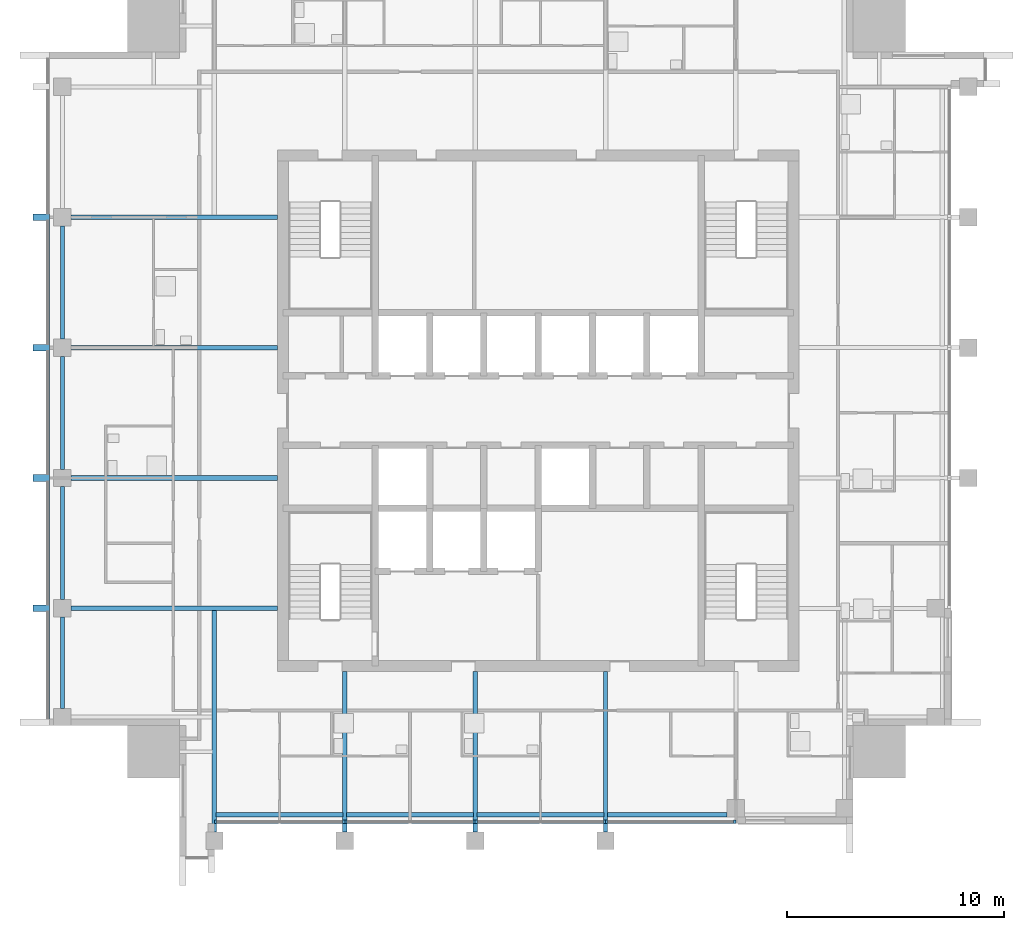
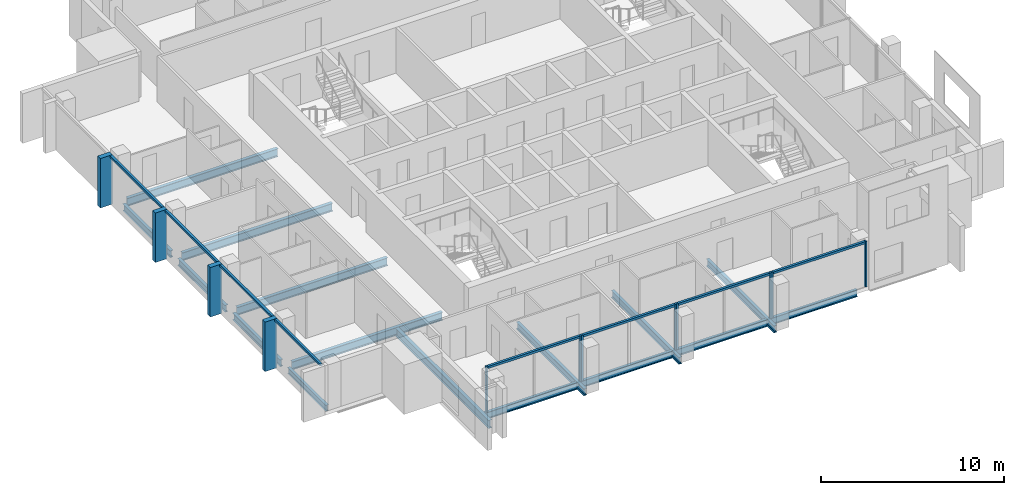
# One storey, part 2 of 13: 20 members, 16 beams, 5 elements without a shape of their own.
"""IFC4 building model written with IfcOpenShell, lengths in metres."""

import ifcopenshell
import ifcopenshell.guid

model = None  # the IFC model being written
_history = None  # IfcOwnerHistory: only IFC2X3 demands one
_inside = {}  # id of a spatial element -> (the spatial element, [elements in it])
_under = {}  # id of a project, library or spatial element -> (it, [spatial elements below it])
_declared = {}  # id of a project -> (the project, [libraries it declares])
_typed = {}  # id of a type object -> (the type object, [elements of that type])
_made_of = {}  # id of a material, layer set ... -> (it, [elements and type objects made of it])


def new_model(schema):
    """Start an empty IFC model of exactly this schema.

    Asked for "IFC4X3", IfcOpenShell would pick the latest addendum, in which some entities
    have other attributes; the version numbers below select the first issue.
    IFC2X3 requires an IfcOwnerHistory on every rooted entity: one is made here for all.
    """
    global model, _history
    if schema == "IFC4X3":
        model = ifcopenshell.file(schema_version=(4, 3, 0, 0))
    else:
        model = ifcopenshell.file(schema=schema)
    _inside.clear()
    _under.clear()
    _declared.clear()
    _typed.clear()
    _made_of.clear()
    _history = None
    if model.schema == "IFC2X3":
        org = make("IfcOrganization", Name="unknown")
        user = make(
            "IfcPersonAndOrganization",
            ThePerson=make("IfcPerson", FamilyName="unknown"),
            TheOrganization=org,
        )
        app = make(
            "IfcApplication",
            ApplicationDeveloper=org,
            Version="unknown",
            ApplicationFullName="unknown",
            ApplicationIdentifier="unknown",
        )
        _history = make(
            "IfcOwnerHistory",
            OwningUser=user,
            OwningApplication=app,
            ChangeAction="ADDED",
            CreationDate=0,
        )
    return model


def make(cls, **values):
    """One entity of the class cls with the attributes given. An attribute that is None is left unset."""
    return model.create_entity(
        cls, **{name: value for name, value in values.items() if value is not None}
    )


def rooted(cls, **values):
    """An entity with a GlobalId (a new one), such as an element, a storey or a relation."""
    return make(cls, GlobalId=ifcopenshell.guid.new(), OwnerHistory=_history, **values)


def si_unit(unit_type, name, prefix=None):
    """IfcSIUnit, for example si_unit("LENGTHUNIT", "METRE", prefix="MILLI")."""
    return make("IfcSIUnit", UnitType=unit_type, Prefix=prefix, Name=name)


def assignment(units):
    """IfcUnitAssignment: the units of a project."""
    return None if units is None else make("IfcUnitAssignment", Units=units)


def point(xyz):
    """IfcCartesianPoint."""
    return None if xyz is None else make("IfcCartesianPoint", Coordinates=xyz)


def direction(xyz):
    """IfcDirection."""
    return None if xyz is None else make("IfcDirection", DirectionRatios=xyz)


def frame(location, z_axis=None, x_axis=None):
    """IfcAxis2Placement3D, a coordinate frame: its origin and axes. An axis left out is left unset."""
    return make(
        "IfcAxis2Placement3D",
        Location=point(location),
        Axis=direction(z_axis),
        RefDirection=direction(x_axis),
    )


def frame_2d(location, x_axis=None):
    """IfcAxis2Placement2D, a coordinate frame in the plane: its origin and x axis."""
    return make(
        "IfcAxis2Placement2D", Location=point(location), RefDirection=direction(x_axis)
    )


def origin():
    """The frame at (0, 0, 0) with its axes left unset."""
    return frame((0.0, 0.0, 0.0))


def origin_2d():
    """The frame at (0, 0) in the plane with its x axis left unset."""
    return frame_2d((0.0, 0.0))


def place(relative_to, where):
    """IfcLocalPlacement: puts the frame where relative to a parent placement (None: the world)."""
    return make(
        "IfcLocalPlacement", PlacementRelTo=relative_to, RelativePlacement=where
    )


def context(
    kind, dimensions, precision=None, world=None, true_north=None, identifier=None
):
    """IfcGeometricRepresentationContext, for example the 3D "Model" context."""
    return make(
        "IfcGeometricRepresentationContext",
        ContextIdentifier=identifier,
        ContextType=kind,
        CoordinateSpaceDimension=dimensions,
        Precision=precision,
        WorldCoordinateSystem=world,
        TrueNorth=true_north,
    )


def subcontext(parent, identifier, kind, view, scale=None):
    """IfcGeometricRepresentationSubContext, for example "Body" below "Model"."""
    return make(
        "IfcGeometricRepresentationSubContext",
        ContextIdentifier=identifier,
        ContextType=kind,
        ParentContext=parent,
        TargetScale=scale,
        TargetView=view,
    )


def project(units=None, contexts=None):
    """IfcProject with its units and contexts."""
    return rooted(
        "IfcProject",
        Name="project",
        RepresentationContexts=contexts,
        UnitsInContext=assignment(units),
    )


def spatial(cls, under=None, at=None, **own):
    """A site, building, storey or space (cls), placed at a placement, below another one or the project."""
    s = rooted(cls, ObjectPlacement=at, **own)
    if under is not None:
        _under.setdefault(under.id(), (under, []))[1].append(s)
    return s


def profile(cls, at=None, kind="AREA", **sizes):
    """A parametric profile (cls). Its sizes go by their IFC names, for example OverallWidth=200.0."""
    return make(cls, ProfileType=kind, Position=at, **sizes)


def rectangle(**sizes):
    """IfcRectangleProfileDef."""
    return profile("IfcRectangleProfileDef", **sizes)


def i_section(**sizes):
    """IfcIShapeProfileDef."""
    return profile("IfcIShapeProfileDef", **sizes)


def extrude(swept, where, along, depth):
    """IfcExtrudedAreaSolid: the profile swept, set in the frame where, extruded along a direction by depth."""
    return make(
        "IfcExtrudedAreaSolid",
        SweptArea=swept,
        Position=where,
        ExtrudedDirection=direction(along),
        Depth=depth,
    )


def shape(context_of_items, identifier, shape_type, items):
    """IfcShapeRepresentation: the items that make up one representation, for example the "Body"."""
    return make(
        "IfcShapeRepresentation",
        ContextOfItems=context_of_items,
        RepresentationIdentifier=identifier,
        RepresentationType=shape_type,
        Items=items,
    )


def material(Name=None, Category=None):
    """IfcMaterial."""
    return make("IfcMaterial", Name=Name, Category=Category)


def material_profile(
    of_material, cross_section, Name=None, Category=None, Priority=None
):
    """IfcMaterialProfile: a cross section and its material."""
    return make(
        "IfcMaterialProfile",
        Name=Name,
        Material=of_material,
        Profile=cross_section,
        Priority=Priority,
        Category=Category,
    )


def profile_set(profiles, Name=None, composite=None):
    """IfcMaterialProfileSet."""
    return make(
        "IfcMaterialProfileSet",
        Name=Name,
        MaterialProfiles=profiles,
        CompositeProfile=composite,
    )


def made_of(thing, what):
    """Note that an element or type object is made of a material, layer set ...; save() writes the relation."""
    if what is not None:
        _made_of.setdefault(what.id(), (what, []))[1].append(thing)
    return thing


def type_object(cls, material=None, **own):
    """A type object (cls), such as IfcWallType, which elements share."""
    return made_of(rooted(cls, **own), material)


def element(
    cls,
    number,
    at=None,
    inside=None,
    cuts=None,
    type_object=None,
    material=None,
    context=None,
    identifier="Body",
    shape_type=None,
    held_by="IfcProductDefinitionShape",
    body=None,
    shapes=None,
    **own,
):
    """One element of the class cls, such as IfcWall. Its Tag is "e" and its number.

    at: its placement. inside: the storey or other place that contains it. cuts: it is an
    opening in that element (IfcRelVoidsElement). A single representation is given by context,
    identifier, shape_type and body (its items); several are given by shapes. held_by: the class
    of the entity that holds the representations. save() writes the other relations.
    """
    e = rooted(cls, Tag="e%d" % number, ObjectPlacement=at, **own)
    if body is not None:
        shapes = [shape(context, identifier, shape_type, body)]
    if shapes is not None:
        e.Representation = make(held_by, Representations=shapes)
    if inside is not None:
        _inside.setdefault(inside.id(), (inside, []))[1].append(e)
    if cuts is not None:
        rooted(
            "IfcRelVoidsElement", RelatingBuildingElement=cuts, RelatedOpeningElement=e
        )
    if type_object is not None:
        _typed.setdefault(type_object.id(), (type_object, []))[1].append(e)
    return made_of(e, material)


def aggregate(whole, parts):
    """IfcRelAggregates: a whole, such as a stair, and the parts it consists of."""
    return rooted("IfcRelAggregates", RelatingObject=whole, RelatedObjects=parts)


def save(model, path):
    """Write the relations noted so far, then the file.

    IfcRelAggregates (storeys below a building ...), IfcRelContainedInSpatialStructure (elements
    in a storey), IfcRelDefinesByType, IfcRelAssociatesMaterial and IfcRelDeclares: one each for
    every whole, place, type object, material and project.
    """
    for whole, parts in _under.values():
        aggregate(whole, parts)
    for where, things in _inside.values():
        rooted(
            "IfcRelContainedInSpatialStructure",
            RelatedElements=things,
            RelatingStructure=where,
        )
    for kind, things in _typed.values():
        rooted("IfcRelDefinesByType", RelatedObjects=things, RelatingType=kind)
    for what, things in _made_of.values():
        rooted("IfcRelAssociatesMaterial", RelatedObjects=things, RelatingMaterial=what)
    for by, libraries in _declared.values():
        rooted("IfcRelDeclares", RelatingContext=by, RelatedDefinitions=libraries)
    model.write(path)


model = new_model("IFC4")

# Units and contexts
model_context = context("Model", 3, precision=1e-05, world=origin(), true_north=direction((0.0, 1.0)))
body_context = subcontext(model_context, "Body", "Model", "MODEL_VIEW")
ifc_project = project(units=[si_unit("LENGTHUNIT", "METRE"), si_unit("AREAUNIT", "SQUARE_METRE"), si_unit("VOLUMEUNIT", "CUBIC_METRE"), si_unit("PLANEANGLEUNIT", "RADIAN"), si_unit("MASSUNIT", "GRAM", prefix="KILO")], contexts=[model_context])

# Site, building, storey
site_placement = place(None, origin())
site = spatial("IfcSite", under=ifc_project, at=site_placement, CompositionType="ELEMENT")
building_placement = place(site_placement, origin())
building = spatial("IfcBuilding", under=site, at=building_placement, Name="Amberfall Residences", CompositionType="ELEMENT")
storey_placement = place(building_placement, frame((0.0, 0.0, 271.89990234375)))
storey = spatial("IfcBuildingStorey", under=building, at=storey_placement, Name="L73", CompositionType="ELEMENT", Elevation=271.89990234375)

# Curtain wall, members
ifc_material_1 = material(Name="Bronze anodised aluminium and glass", Category="aluminium")
curtain_wall_type_1 = type_object("IfcCurtainWallType", Name="Curtain wall CW1 tower unit", PredefinedType="USERDEFINED", material=ifc_material_1)
curtain_wall_1_placement = place(storey_placement, origin())
curtain_wall_1 = element("IfcCurtainWall", 1, at=curtain_wall_1_placement, inside=storey, type_object=curtain_wall_type_1, Name="Curtain wall L73 W W1", ObjectType="UNITISED CURTAIN WALL", PredefinedType="USERDEFINED")
ifc_material_2 = material(Name="Bronze anodised aluminium", Category="aluminium")
ifc_material_profile_1 = material_profile(ifc_material_2, rectangle(XDim=0.14990234375, YDim=0.14990234375, at=origin_2d()), Name="CW1 transom 150 x 150 bronze")
ifc_profile_set_1 = profile_set([ifc_material_profile_1], Name="Bronze anodised aluminium")
member_type_1 = type_object("IfcMemberType", Name="CW1 transom 150 x 150 bronze", PredefinedType="USERDEFINED", material=ifc_profile_set_1)
member_1_placement = place(storey_placement, frame((51.925048828125, 54.25, 2.97509765625), z_axis=(0.0, -1.0, 0.0), x_axis=(1.0, 0.0, 0.0)))
member_1 = element("IfcMember", 2, at=member_1_placement, type_object=member_type_1, Name="CW1 transom 3.1", ObjectType="TRANSOM", PredefinedType="USERDEFINED", context=body_context, shape_type="SweptSolid", body=[
    extrude(rectangle(XDim=0.14990234375, YDim=0.14990234375, at=origin_2d()), origin(), (0.0, 0.0, 1.0), 5.699951171875),
])
member_2_placement = place(storey_placement, frame((51.925048828125, 48.25, 2.97509765625), z_axis=(0.0, -1.0, 0.0), x_axis=(1.0, 0.0, 0.0)))
member_2 = element("IfcMember", 3, at=member_2_placement, type_object=member_type_1, Name="CW1 transom 4.1", ObjectType="TRANSOM", PredefinedType="USERDEFINED", context=body_context, shape_type="SweptSolid", body=[
    extrude(rectangle(XDim=0.14990234375, YDim=0.14990234375, at=origin_2d()), origin(), (0.0, 0.0, 1.0), 5.699951171875),
])
member_3_placement = place(storey_placement, frame((51.925048828125, 42.25, 2.97509765625), z_axis=(0.0, -1.0, 0.0), x_axis=(1.0, 0.0, 0.0)))
member_3 = element("IfcMember", 4, at=member_3_placement, type_object=member_type_1, Name="CW1 transom 5.1", ObjectType="TRANSOM", PredefinedType="USERDEFINED", context=body_context, shape_type="SweptSolid", body=[
    extrude(rectangle(XDim=0.14990234375, YDim=0.14990234375, at=origin_2d()), origin(), (0.0, 0.0, 1.0), 5.699951171875),
])
member_4_placement = place(storey_placement, frame((51.925048828125, 36.25, 2.97509765625), z_axis=(0.0, -1.0, 0.0), x_axis=(1.0, 0.0, 0.0)))
member_4 = element("IfcMember", 5, at=member_4_placement, type_object=member_type_1, Name="CW1 transom 6.1", ObjectType="TRANSOM", PredefinedType="USERDEFINED", context=body_context, shape_type="SweptSolid", body=[
    extrude(rectangle(XDim=0.14990234375, YDim=0.14990234375, at=origin_2d()), origin(), (0.0, 0.0, 1.0), 4.949951171875),
])

curtain_wall_type_2 = type_object("IfcCurtainWallType", Name="Curtain wall CW3 sky garden glazing", PredefinedType="USERDEFINED", material=ifc_material_1)
curtain_wall_2_placement = place(storey_placement, origin())
curtain_wall_2 = element("IfcCurtainWall", 6, at=curtain_wall_2_placement, inside=storey, type_object=curtain_wall_type_2, Name="Curtain wall L73 S S3", ObjectType="UNITISED CURTAIN WALL", PredefinedType="USERDEFINED")
ifc_material_profile_2 = material_profile(ifc_material_2, rectangle(XDim=0.14990234375, YDim=0.10009765625, at=origin_2d()), Name="CW3 mullion 100 x 150 bronze")
ifc_profile_set_2 = profile_set([ifc_material_profile_2], Name="Bronze anodised aluminium")
member_type_2 = type_object("IfcMemberType", Name="CW3 mullion 100 x 150 bronze", PredefinedType="MULLION", material=ifc_profile_set_2)
member_5_placement = place(storey_placement, frame((59.64990234375, 26.574951171875, 0.0), z_axis=(0.0, 0.0, 1.0), x_axis=(0.0, 1.0, 0.0)))
member_5 = element("IfcMember", 7, at=member_5_placement, type_object=member_type_2, Name="CW3 mullion 1", PredefinedType="MULLION", context=body_context, shape_type="SweptSolid", body=[
    extrude(rectangle(XDim=0.14990234375, YDim=0.10009765625, at=origin_2d()), origin(), (0.0, 0.0, 1.0), 3.050048828125),
])
member_6_placement = place(storey_placement, frame((65.550048828125, 26.574951171875, 0.0), z_axis=(0.0, 0.0, 1.0), x_axis=(0.0, 1.0, 0.0)))
member_6 = element("IfcMember", 8, at=member_6_placement, type_object=member_type_2, Name="CW3 mullion 2", PredefinedType="MULLION", context=body_context, shape_type="SweptSolid", body=[
    extrude(rectangle(XDim=0.14990234375, YDim=0.10009765625, at=origin_2d()), origin(), (0.0, 0.0, 1.0), 3.050048828125),
])

curtain_wall_3_placement = place(storey_placement, origin())
curtain_wall_3 = element("IfcCurtainWall", 9, at=curtain_wall_3_placement, inside=storey, type_object=curtain_wall_type_2, Name="Curtain wall L73 S S4", ObjectType="UNITISED CURTAIN WALL", PredefinedType="USERDEFINED")
member_7_placement = place(storey_placement, frame((65.64990234375, 26.574951171875, 0.0), z_axis=(0.0, 0.0, 1.0), x_axis=(0.0, 1.0, 0.0)))
member_7 = element("IfcMember", 10, at=member_7_placement, type_object=member_type_2, Name="CW3 mullion 1", PredefinedType="MULLION", context=body_context, shape_type="SweptSolid", body=[
    extrude(rectangle(XDim=0.14990234375, YDim=0.10009765625, at=origin_2d()), origin(), (0.0, 0.0, 1.0), 3.050048828125),
])
member_8_placement = place(storey_placement, frame((71.550048828125, 26.574951171875, 0.0), z_axis=(0.0, 0.0, 1.0), x_axis=(0.0, 1.0, 0.0)))
member_8 = element("IfcMember", 11, at=member_8_placement, type_object=member_type_2, Name="CW3 mullion 2", PredefinedType="MULLION", context=body_context, shape_type="SweptSolid", body=[
    extrude(rectangle(XDim=0.14990234375, YDim=0.10009765625, at=origin_2d()), origin(), (0.0, 0.0, 1.0), 3.050048828125),
])

curtain_wall_4_placement = place(storey_placement, origin())
curtain_wall_4 = element("IfcCurtainWall", 12, at=curtain_wall_4_placement, inside=storey, type_object=curtain_wall_type_2, Name="Curtain wall L73 S S5", ObjectType="UNITISED CURTAIN WALL", PredefinedType="USERDEFINED")
member_9_placement = place(storey_placement, frame((71.64990234375, 26.574951171875, 0.0), z_axis=(0.0, 0.0, 1.0), x_axis=(0.0, 1.0, 0.0)))
member_9 = element("IfcMember", 13, at=member_9_placement, type_object=member_type_2, Name="CW3 mullion 1", PredefinedType="MULLION", context=body_context, shape_type="SweptSolid", body=[
    extrude(rectangle(XDim=0.14990234375, YDim=0.10009765625, at=origin_2d()), origin(), (0.0, 0.0, 1.0), 3.050048828125),
])
member_10_placement = place(storey_placement, frame((77.550048828125, 26.574951171875, 0.0), z_axis=(0.0, 0.0, 1.0), x_axis=(0.0, 1.0, 0.0)))
member_10 = element("IfcMember", 14, at=member_10_placement, type_object=member_type_2, Name="CW3 mullion 2", PredefinedType="MULLION", context=body_context, shape_type="SweptSolid", body=[
    extrude(rectangle(XDim=0.14990234375, YDim=0.10009765625, at=origin_2d()), origin(), (0.0, 0.0, 1.0), 3.050048828125),
])

curtain_wall_5_placement = place(storey_placement, origin())
curtain_wall_5 = element("IfcCurtainWall", 15, at=curtain_wall_5_placement, inside=storey, type_object=curtain_wall_type_2, Name="Curtain wall L73 S S6", ObjectType="UNITISED CURTAIN WALL", PredefinedType="USERDEFINED")
member_11_placement = place(storey_placement, frame((77.64990234375, 26.574951171875, 0.0), z_axis=(0.0, 0.0, 1.0), x_axis=(0.0, 1.0, 0.0)))
member_11 = element("IfcMember", 16, at=member_11_placement, type_object=member_type_2, Name="CW3 mullion 1", PredefinedType="MULLION", context=body_context, shape_type="SweptSolid", body=[
    extrude(rectangle(XDim=0.14990234375, YDim=0.10009765625, at=origin_2d()), origin(), (0.0, 0.0, 1.0), 3.050048828125),
])
member_12_placement = place(storey_placement, frame((83.550048828125, 26.574951171875, 0.0), z_axis=(0.0, 0.0, 1.0), x_axis=(0.0, 1.0, 0.0)))
member_12 = element("IfcMember", 17, at=member_12_placement, type_object=member_type_2, Name="CW3 mullion 2", PredefinedType="MULLION", context=body_context, shape_type="SweptSolid", body=[
    extrude(rectangle(XDim=0.14990234375, YDim=0.10009765625, at=origin_2d()), origin(), (0.0, 0.0, 1.0), 3.050048828125),
])

# Member
ifc_material_profile_3 = material_profile(ifc_material_2, rectangle(XDim=0.14990234375, YDim=0.14990234375, at=origin_2d()), Name="CW3 transom 150 x 150 bronze")
ifc_profile_set_3 = profile_set([ifc_material_profile_3], Name="Bronze anodised aluminium")
member_type_3 = type_object("IfcMemberType", Name="CW3 transom 150 x 150 bronze", PredefinedType="USERDEFINED", material=ifc_profile_set_3)
member_13_placement = place(storey_placement, frame((59.699951171875, 26.574951171875, 2.97509765625), z_axis=(1.0, 0.0, 0.0), x_axis=(0.0, 1.0, 0.0)))
member_13 = element("IfcMember", 18, at=member_13_placement, type_object=member_type_3, Name="CW3 transom 1.1", ObjectType="TRANSOM", PredefinedType="USERDEFINED", context=body_context, shape_type="SweptSolid", body=[
    extrude(rectangle(XDim=0.14990234375, YDim=0.14990234375, at=origin_2d()), origin(), (0.0, 0.0, 1.0), 5.800048828125),
])

aggregate(curtain_wall_2, [member_5, member_6, member_13])

member_14_placement = place(storey_placement, frame((65.699951171875, 26.574951171875, 2.97509765625), z_axis=(1.0, 0.0, 0.0), x_axis=(0.0, 1.0, 0.0)))
member_14 = element("IfcMember", 19, at=member_14_placement, type_object=member_type_3, Name="CW3 transom 1.1", ObjectType="TRANSOM", PredefinedType="USERDEFINED", context=body_context, shape_type="SweptSolid", body=[
    extrude(rectangle(XDim=0.14990234375, YDim=0.14990234375, at=origin_2d()), origin(), (0.0, 0.0, 1.0), 5.800048828125),
])

aggregate(curtain_wall_3, [member_7, member_8, member_14])

member_15_placement = place(storey_placement, frame((71.699951171875, 26.574951171875, 2.97509765625), z_axis=(1.0, 0.0, 0.0), x_axis=(0.0, 1.0, 0.0)))
member_15 = element("IfcMember", 20, at=member_15_placement, type_object=member_type_3, Name="CW3 transom 1.1", ObjectType="TRANSOM", PredefinedType="USERDEFINED", context=body_context, shape_type="SweptSolid", body=[
    extrude(rectangle(XDim=0.14990234375, YDim=0.14990234375, at=origin_2d()), origin(), (0.0, 0.0, 1.0), 5.800048828125),
])

aggregate(curtain_wall_4, [member_9, member_10, member_15])

member_16_placement = place(storey_placement, frame((77.699951171875, 26.574951171875, 2.97509765625), z_axis=(1.0, 0.0, 0.0), x_axis=(0.0, 1.0, 0.0)))
member_16 = element("IfcMember", 21, at=member_16_placement, type_object=member_type_3, Name="CW3 transom 1.1", ObjectType="TRANSOM", PredefinedType="USERDEFINED", context=body_context, shape_type="SweptSolid", body=[
    extrude(rectangle(XDim=0.14990234375, YDim=0.14990234375, at=origin_2d()), origin(), (0.0, 0.0, 1.0), 5.800048828125),
])

aggregate(curtain_wall_5, [member_11, member_12, member_16])

# Beams
ifc_material_3 = material(Name="Steel S355", Category="steel")
ifc_material_profile_4 = material_profile(ifc_material_3, i_section(OverallWidth=0.177734375, OverallDepth=0.402587890625, WebThickness=0.0078125, FlangeThickness=0.010986328125, FilletRadius=0.01025390625, at=origin_2d()), Name="UB 406x178x54")
ifc_profile_set_4 = profile_set([ifc_material_profile_4], Name="Steel S355")
beam_type_1 = type_object("IfcBeamType", Name="Edge beam UB 406x178x54", PredefinedType="SPANDREL", material=ifc_profile_set_4)
beam_1_placement = place(storey_placement, frame((52.60009765625, 31.800048828125, -0.451171875), z_axis=(0.0, 1.0, 0.0), x_axis=(-1.0, 0.0, 0.0)))
element("IfcBeam", 22, at=beam_1_placement, inside=storey, type_object=beam_type_1, Name="Edge beam B14 L73 34", PredefinedType="SPANDREL", context=body_context, shape_type="SweptSolid", body=[
    extrude(i_section(OverallWidth=0.177734375, OverallDepth=0.402587890625, WebThickness=0.0078125, FlangeThickness=0.010986328125, FilletRadius=0.01025390625, at=origin_2d()), origin(), (0.0, 0.0, 1.0), 4.199951171875),
])
ifc_material_profile_5 = material_profile(ifc_material_3, i_section(OverallWidth=0.18994140625, OverallDepth=0.453369140625, WebThickness=0.008544921875, FlangeThickness=0.0126953125, FilletRadius=0.01025390625, at=origin_2d()), Name="UB 457x191x67")
ifc_profile_set_5 = profile_set([ifc_material_profile_5], Name="Steel S355")
beam_type_2 = type_object("IfcBeamType", Name="Edge beam UB 457x191x67", PredefinedType="SPANDREL", material=ifc_profile_set_5)
for number, where, z_axis, x_axis, name in (
    (23, (59.679931640625, 26.89990234375, -0.4765625), (1.0, 0.0, 0.0), (0.0, 1.0, 0.0), "Edge beam B1 L73 01"),
    (24, (65.679931640625, 26.89990234375, -0.4765625), (1.0, 0.0, 0.0), (0.0, 1.0, 0.0), "Edge beam B1 L73 02"),
    (25, (71.679931640625, 26.89990234375, -0.4765625), (1.0, 0.0, 0.0), (0.0, 1.0, 0.0), "Edge beam B1 L73 03"),
):
    element("IfcBeam", number, at=place(storey_placement, frame(where, z_axis=z_axis, x_axis=x_axis)), inside=storey, type_object=beam_type_2, Name=name, PredefinedType="SPANDREL", context=body_context, shape_type="SweptSolid", body=[
        extrude(i_section(OverallWidth=0.18994140625, OverallDepth=0.453369140625, WebThickness=0.008544921875, FlangeThickness=0.0126953125, FilletRadius=0.01025390625, at=origin_2d()), origin(), (0.0, 0.0, 1.0), 5.840087890625),
    ])
beam_2_placement = place(storey_placement, frame((77.679931640625, 26.89990234375, -0.4765625), z_axis=(1.0, 0.0, 0.0), x_axis=(0.0, 1.0, 0.0)))
element("IfcBeam", 26, at=beam_2_placement, inside=storey, type_object=beam_type_2, Name="Edge beam B1 L73 04", PredefinedType="SPANDREL", context=body_context, shape_type="SweptSolid", body=[
    extrude(i_section(OverallWidth=0.18994140625, OverallDepth=0.453369140625, WebThickness=0.008544921875, FlangeThickness=0.0126953125, FilletRadius=0.01025390625, at=origin_2d()), origin(), (0.0, 0.0, 1.0), 5.52001953125),
])
for number, where, z_axis, x_axis, name in (
    (27, (52.60009765625, 36.800048828125, -0.4765625), (0.0, 1.0, 0.0), (-1.0, 0.0, 0.0), "Edge beam B1 L73 35"),
    (28, (52.60009765625, 42.800048828125, -0.4765625), (0.0, 1.0, 0.0), (-1.0, 0.0, 0.0), "Edge beam B1 L73 36"),
    (29, (52.60009765625, 48.800048828125, -0.4765625), (0.0, 1.0, 0.0), (-1.0, 0.0, 0.0), "Edge beam B1 L73 37"),
):
    element("IfcBeam", number, at=place(storey_placement, frame(where, z_axis=z_axis, x_axis=x_axis)), inside=storey, type_object=beam_type_2, Name=name, PredefinedType="SPANDREL", context=body_context, shape_type="SweptSolid", body=[
        extrude(i_section(OverallWidth=0.18994140625, OverallDepth=0.453369140625, WebThickness=0.008544921875, FlangeThickness=0.0126953125, FilletRadius=0.01025390625, at=origin_2d()), origin(), (0.0, 0.0, 1.0), 5.199951171875),
    ])

# Member
ifc_material_profile_6 = material_profile(ifc_material_2, rectangle(XDim=0.75, YDim=0.300048828125, at=origin_2d()), Name="Fin 300 x 750 bronze")
ifc_profile_set_6 = profile_set([ifc_material_profile_6], Name="Bronze anodised aluminium")
member_type_4 = type_object("IfcMemberType", Name="Fin 300 x 750 bronze", PredefinedType="MULLION", material=ifc_profile_set_6)
member_17_placement = place(storey_placement, frame((51.625, 54.39990234375, -0.25), z_axis=(0.0, 0.0, 1.0), x_axis=(1.0, 0.0, 0.0)))
member_17 = element("IfcMember", 30, at=member_17_placement, type_object=member_type_4, Name="CW FIN 3", PredefinedType="MULLION", context=body_context, shape_type="SweptSolid", body=[
    extrude(rectangle(XDim=0.75, YDim=0.300048828125, at=origin_2d()), origin(), (0.0, 0.0, 1.0), 3.300048828125),
])

member_18_placement = place(storey_placement, frame((51.625, 48.39990234375, -0.25), z_axis=(0.0, 0.0, 1.0), x_axis=(1.0, 0.0, 0.0)))
member_18 = element("IfcMember", 31, at=member_18_placement, type_object=member_type_4, Name="CW FIN 4", PredefinedType="MULLION", context=body_context, shape_type="SweptSolid", body=[
    extrude(rectangle(XDim=0.75, YDim=0.300048828125, at=origin_2d()), origin(), (0.0, 0.0, 1.0), 3.300048828125),
])

member_19_placement = place(storey_placement, frame((51.625, 42.39990234375, -0.25), z_axis=(0.0, 0.0, 1.0), x_axis=(1.0, 0.0, 0.0)))
member_19 = element("IfcMember", 32, at=member_19_placement, type_object=member_type_4, Name="CW FIN 5", PredefinedType="MULLION", context=body_context, shape_type="SweptSolid", body=[
    extrude(rectangle(XDim=0.75, YDim=0.300048828125, at=origin_2d()), origin(), (0.0, 0.0, 1.0), 3.300048828125),
])

member_20_placement = place(storey_placement, frame((51.625, 36.39990234375, -0.25), z_axis=(0.0, 0.0, 1.0), x_axis=(1.0, 0.0, 0.0)))
member_20 = element("IfcMember", 33, at=member_20_placement, type_object=member_type_4, Name="CW FIN 6", PredefinedType="MULLION", context=body_context, shape_type="SweptSolid", body=[
    extrude(rectangle(XDim=0.75, YDim=0.300048828125, at=origin_2d()), origin(), (0.0, 0.0, 1.0), 3.300048828125),
])

aggregate(curtain_wall_1, [member_17, member_18, member_19, member_20, member_1, member_2, member_3, member_4])

# Beams
ifc_material_profile_7 = material_profile(ifc_material_3, i_section(OverallWidth=0.19140625, OverallDepth=0.4599609375, WebThickness=0.010009765625, FlangeThickness=0.01611328125, FilletRadius=0.01025390625, at=origin_2d()), Name="UB 457x191x82")
ifc_profile_set_7 = profile_set([ifc_material_profile_7], Name="Steel S355")
beam_type_3 = type_object("IfcBeamType", Name="Floor girder UB 457x191x82", PredefinedType="BEAM", material=ifc_profile_set_7)
for number, where, z_axis, x_axis, name in (
    (34, (65.60009765625, 26.10009765625, -0.47998046875), (0.0, 1.0, 0.0), (-1.0, 0.0, 0.0), "Floor girder B10 L73 07"),
    (35, (71.60009765625, 26.10009765625, -0.47998046875), (0.0, 1.0, 0.0), (-1.0, 0.0, 0.0), "Floor girder B10 L73 08"),
    (36, (77.60009765625, 26.10009765625, -0.47998046875), (0.0, 1.0, 0.0), (-1.0, 0.0, 0.0), "Floor girder B10 L73 09"),
):
    element("IfcBeam", number, at=place(storey_placement, frame(where, z_axis=z_axis, x_axis=x_axis)), inside=storey, type_object=beam_type_3, Name=name, PredefinedType="BEAM", context=body_context, shape_type="SweptSolid", body=[
        extrude(i_section(OverallWidth=0.19140625, OverallDepth=0.4599609375, WebThickness=0.010009765625, FlangeThickness=0.01611328125, FilletRadius=0.01025390625, at=origin_2d()), origin(), (0.0, 0.0, 1.0), 7.39990234375),
    ])
ifc_material_profile_8 = material_profile(ifc_material_3, i_section(OverallWidth=0.209228515625, OverallDepth=0.533203125, WebThickness=0.010009765625, FlangeThickness=0.015625, FilletRadius=0.0126953125, at=origin_2d()), Name="UB 533x210x92")
ifc_profile_set_8 = profile_set([ifc_material_profile_8], Name="Steel S355")
beam_type_4 = type_object("IfcBeamType", Name="Floor girder UB 533x210x92", PredefinedType="BEAM", material=ifc_profile_set_8)
beam_3_placement = place(storey_placement, frame((59.60009765625, 26.10009765625, -0.516357421875), z_axis=(0.0, 1.0, 0.0), x_axis=(-1.0, 0.0, 0.0)))
element("IfcBeam", 37, at=beam_3_placement, inside=storey, type_object=beam_type_4, Name="Floor girder B3 L73 06", PredefinedType="BEAM", context=body_context, shape_type="SweptSolid", body=[
    extrude(i_section(OverallWidth=0.209228515625, OverallDepth=0.533203125, WebThickness=0.010009765625, FlangeThickness=0.015625, FilletRadius=0.0126953125, at=origin_2d()), origin(), (0.0, 0.0, 1.0), 10.2001953125),
])
for number, where, z_axis, x_axis, name in (
    (38, (53.0, 36.39990234375, -0.516357421875), (1.0, 0.0, 0.0), (0.0, 1.0, 0.0), "Floor girder B3 L73 40"),
    (39, (53.0, 42.39990234375, -0.516357421875), (1.0, 0.0, 0.0), (0.0, 1.0, 0.0), "Floor girder B3 L73 41"),
    (40, (53.0, 48.39990234375, -0.516357421875), (1.0, 0.0, 0.0), (0.0, 1.0, 0.0), "Floor girder B3 L73 42"),
    (41, (53.0, 54.39990234375, -0.516357421875), (1.0, 0.0, 0.0), (0.0, 1.0, 0.0), "Floor girder B3 L73 43"),
):
    element("IfcBeam", number, at=place(storey_placement, frame(where, z_axis=z_axis, x_axis=x_axis)), inside=storey, type_object=beam_type_4, Name=name, PredefinedType="BEAM", context=body_context, shape_type="SweptSolid", body=[
        extrude(i_section(OverallWidth=0.209228515625, OverallDepth=0.533203125, WebThickness=0.010009765625, FlangeThickness=0.015625, FilletRadius=0.0126953125, at=origin_2d()), origin(), (0.0, 0.0, 1.0), 9.5),
    ])

save(model, "model.ifc")
